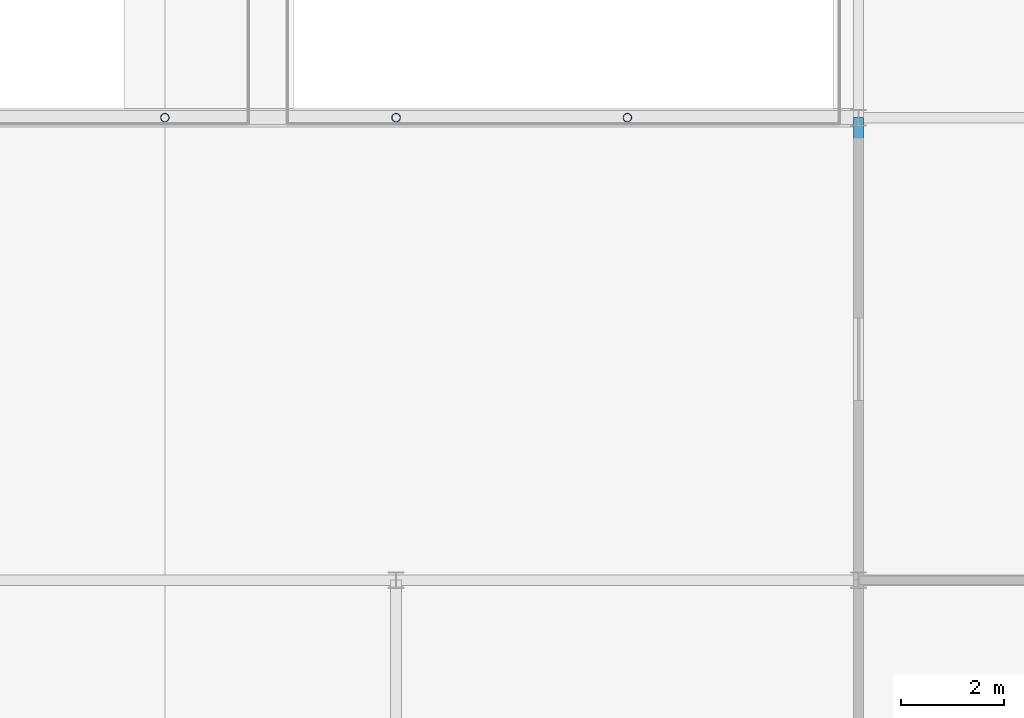
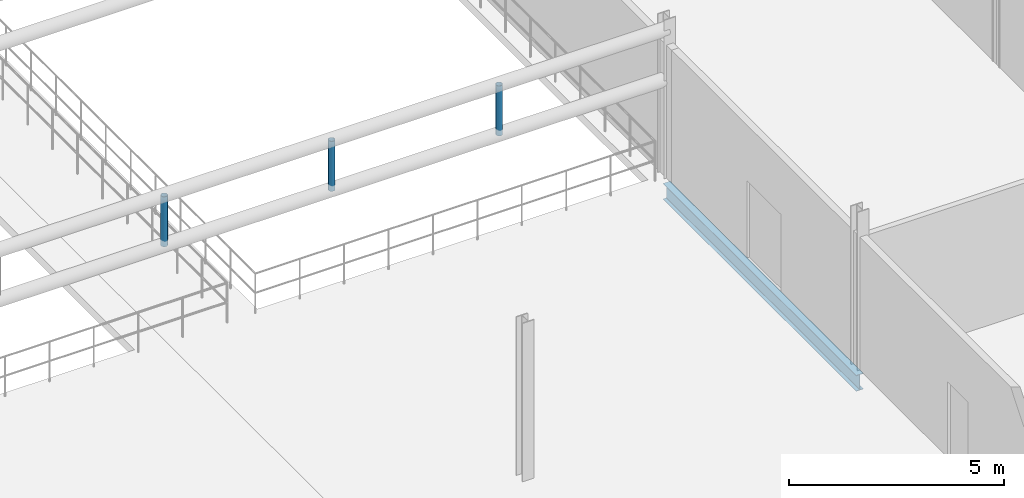
# One storey, part 63 of 140: 3 members, 1 beam.
"""IFC4 building model written with IfcOpenShell, lengths in metres."""

from ifc_helpers import new_model, si_unit, direction, frame, origin, origin_2d, place, context, subcontext, project, spatial, hollow_circle, i_section, extrude, material, material_profile, profile_set, type_object, element, save


model = new_model("IFC4")

# Units and contexts
model_context = context("Model", 3, precision=1e-05, world=origin(), true_north=direction((0.0, 1.0)))
body_context = subcontext(model_context, "Body", "Model", "MODEL_VIEW")
ifc_project = project(units=[si_unit("LENGTHUNIT", "METRE"), si_unit("AREAUNIT", "SQUARE_METRE"), si_unit("VOLUMEUNIT", "CUBIC_METRE"), si_unit("PLANEANGLEUNIT", "RADIAN"), si_unit("MASSUNIT", "GRAM", prefix="KILO"), si_unit("THERMODYNAMICTEMPERATUREUNIT", "KELVIN"), si_unit("POWERUNIT", "WATT")], contexts=[model_context])

# Site, building, storey
site_placement = place(None, origin())
site = spatial("IfcSite", under=ifc_project, at=site_placement, CompositionType="ELEMENT")
building_placement = place(site_placement, origin())
building = spatial("IfcBuilding", under=site, at=building_placement, Name="Tallowbark Science Centre", CompositionType="ELEMENT")
storey_placement = place(building_placement, frame((0.0, 0.0, 9.89990234375)))
storey = spatial("IfcBuildingStorey", under=building, at=storey_placement, Name="L02", CompositionType="ELEMENT", Elevation=9.89990234375)

# Beam
ifc_material_1 = material(Name="Structural Steel Grade 300PLUS (300 MPa)", Category="steel")
ifc_material_profile_1 = material_profile(ifc_material_1, i_section(OverallWidth=0.18994140625, OverallDepth=0.453857421875, WebThickness=0.008544921875, FlangeThickness=0.0126953125, FilletRadius=0.011474609375, at=origin_2d()), Name="460UB67.1")
ifc_profile_set_1 = profile_set([ifc_material_profile_1], Name="Structural Steel Grade 300PLUS (300 MPa)")
beam_type = type_object("IfcBeamType", Name="SPN-UB460", PredefinedType="SPANDREL", material=ifc_profile_set_1)
beam_placement = place(storey_placement, frame((148.5, 9.0, -0.471923828125), z_axis=(0.0, 1.0, 0.0), x_axis=(-1.0, 0.0, 0.0)))
element("IfcBeam", 1, at=beam_placement, inside=storey, type_object=beam_type, Name="Primary Girder GRDY-L02-1485-90-180", PredefinedType="SPANDREL", context=body_context, shape_type="SweptSolid", body=[
    extrude(i_section(OverallWidth=0.18994140625, OverallDepth=0.453857421875, WebThickness=0.008544921875, FlangeThickness=0.0126953125, FilletRadius=0.011474609375, at=origin_2d()), origin(), (0.0, 0.0, 1.0), 9.0),
])

# Members
ifc_material_2 = material(Name="White Architectural Painted Steel Grade C350L0 (350 MPa)", Category="steel")
ifc_material_profile_2 = material_profile(ifc_material_2, hollow_circle(Radius=0.084228515625, WallThickness=0.007080078125, at=origin_2d()), Name="168.3x7.1CHS")
ifc_profile_set_2 = profile_set([ifc_material_profile_2], Name="White Architectural Painted Steel Grade C350L0 (350 MPa)")
member_type = type_object("IfcMemberType", Name="TR-WEB168", PredefinedType="BRACE", material=ifc_profile_set_2)
for number, where, z_axis, x_axis, name in (
    (2, (135.0, 18.0, 2.7001953125), (0.0, 0.0, 1.0), (1.0, 0.0, 0.0), "Theatre Truss Web 1-135"),
    (3, (139.5, 18.0, 2.7001953125), (0.0, 0.0, 1.0), (1.0, 0.0, 0.0), "Theatre Truss Web 1-139.5"),
    (4, (144.0, 18.0, 2.7001953125), (0.0, 0.0, 1.0), (1.0, 0.0, 0.0), "Theatre Truss Web 1-144"),
):
    element("IfcMember", number, at=place(storey_placement, frame(where, z_axis=z_axis, x_axis=x_axis)), inside=storey, type_object=member_type, Name=name, PredefinedType="BRACE", context=body_context, shape_type="SweptSolid", body=[
        extrude(hollow_circle(Radius=0.084228515625, WallThickness=0.007080078125, at=origin_2d()), origin(), (0.0, 0.0, 1.0), 1.419921875),
    ])

save(model, "model.ifc")
